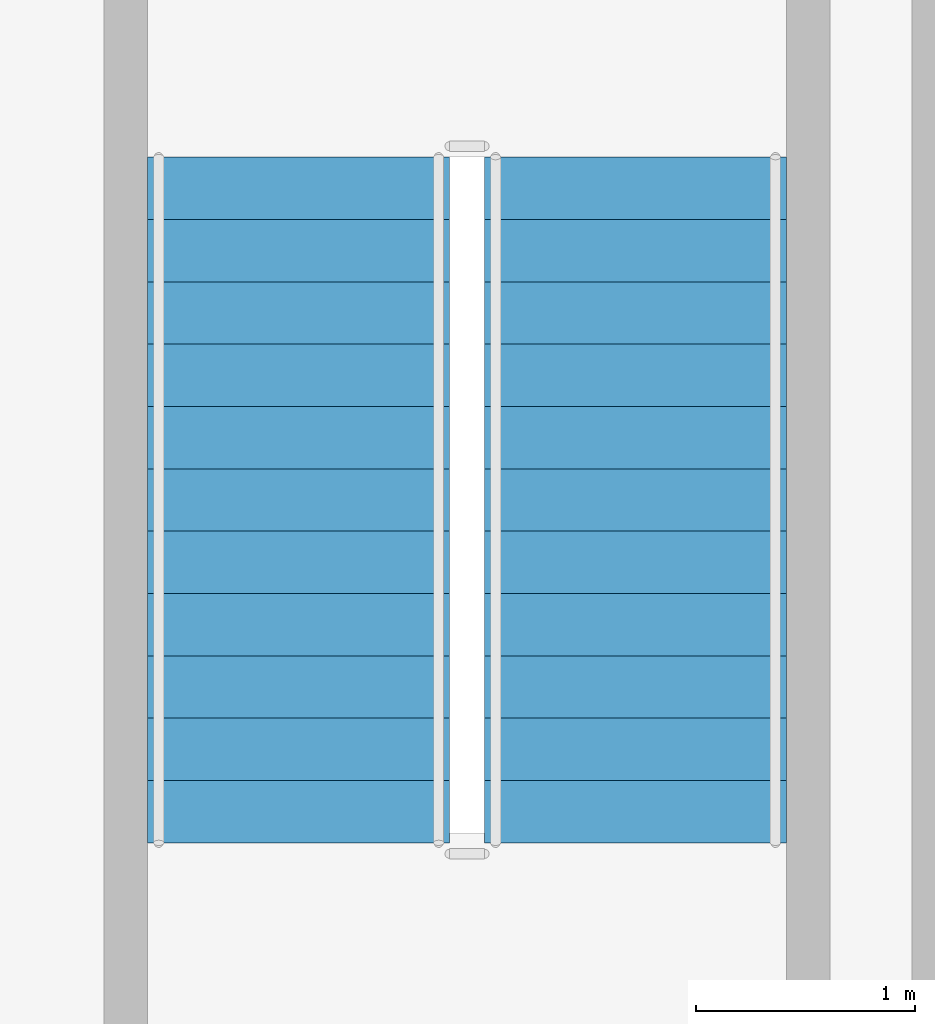
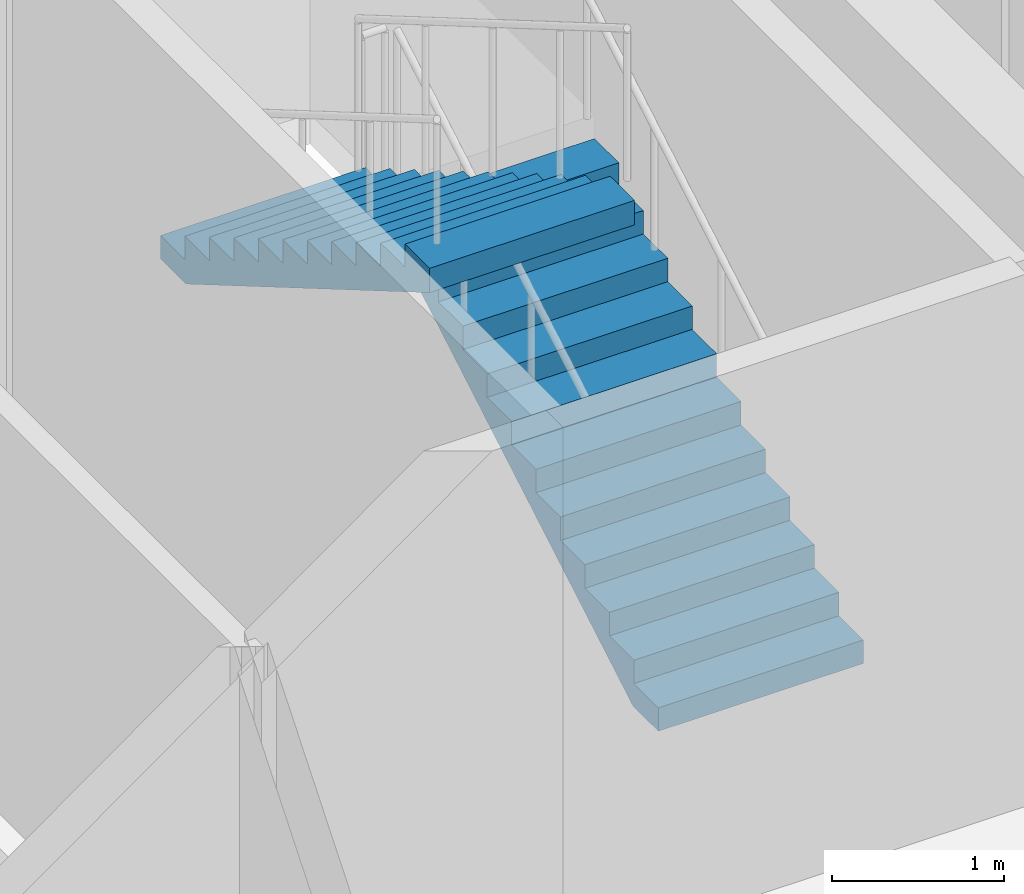
# One storey, part 18 of 23: 2 stair flights, 1 element without a shape of its own.
"""IFC4 building model written with IfcOpenShell, lengths in metres."""

from ifc_helpers import new_model, si_unit, direction, frame, origin, place, context, subcontext, project, spatial, polyline, outline, extrude, material, type_object, element, aggregate, save


model = new_model("IFC4")

# Units and contexts
model_context = context("Model", 3, precision=1e-05, world=origin(), true_north=direction((0.0, 1.0)))
body_context = subcontext(model_context, "Body", "Model", "MODEL_VIEW")
ifc_project = project(units=[si_unit("LENGTHUNIT", "METRE"), si_unit("AREAUNIT", "SQUARE_METRE"), si_unit("VOLUMEUNIT", "CUBIC_METRE"), si_unit("PLANEANGLEUNIT", "RADIAN"), si_unit("MASSUNIT", "GRAM", prefix="KILO")], contexts=[model_context])

# Site, building, storey
site_placement = place(None, origin())
site = spatial("IfcSite", under=ifc_project, at=site_placement, CompositionType="ELEMENT")
building_placement = place(site_placement, origin())
building = spatial("IfcBuilding", under=site, at=building_placement, Name="Kovane Verandah Tower", CompositionType="ELEMENT")
storey_placement = place(building_placement, frame((0.0, 0.0, 243.199951171875)))
storey = spatial("IfcBuildingStorey", under=building, at=storey_placement, Name="L56", CompositionType="ELEMENT", Elevation=243.199951171875)

# Stair, stair flights
ifc_material = material(Name="Concrete C45/55", Category="concrete")
stair_type = type_object("IfcStairType", Name="ST-CORE-1380", PredefinedType="HALF_TURN_STAIR", material=ifc_material)
stair_placement = place(storey_placement, origin())
stair = element("IfcStair", 1, at=stair_placement, inside=storey, type_object=stair_type, Name="L56 Exit Stair ST-02", PredefinedType="HALF_TURN_STAIR")
stair_flight_type = type_object("IfcStairFlightType", Name="STF-CORE-1380", PredefinedType="STRAIGHT", material=ifc_material)
stair_flight_1_placement = place(storey_placement, frame((49.510009765625, 29.25, 0.0), z_axis=(0.0, 0.0, 1.0), x_axis=(0.0, 1.0, 0.0)))
stair_flight_1 = element("IfcStairFlight", 2, at=stair_flight_1_placement, type_object=stair_flight_type, Name="ST-02 flight 1", NumberOfRisers=12, NumberOfTreads=11, PredefinedType="STRAIGHT", RiserHeight=0.166666667, TreadLength=0.285, context=body_context, shape_type="SweptSolid", body=[
    extrude(outline(polyline([(0.0, 0.0), (0.0, 0.166748046875), (0.284912109375, 0.166748046875), (0.284912109375, 0.333251953125), (0.570068359375, 0.333251953125), (0.570068359375, 0.5), (0.85498046875, 0.5), (0.85498046875, 0.666748046875), (1.139892578125, 0.666748046875), (1.139892578125, 0.833251953125), (1.425048828125, 0.833251953125), (1.425048828125, 1.0), (1.7099609375, 1.0), (1.7099609375, 1.166748046875), (1.9951171875, 1.166748046875), (1.9951171875, 1.333251953125), (2.280029296875, 1.333251953125), (2.280029296875, 1.5), (2.56494140625, 1.5), (2.56494140625, 1.666748046875), (2.85009765625, 1.666748046875), (2.85009765625, 1.833251953125), (3.135009765625, 1.833251953125), (3.135009765625, 2.0), (3.135009765625, 1.65966796875), (0.296875, 0.0), (0.0, 0.0)])), frame((0.0, 0.68994140625, 0.0), z_axis=(0.0, -1.0, 0.0), x_axis=(1.0, 0.0, 0.0)), (0.0, 0.0, 1.0), 1.3798828125),
])
stair_flight_2_placement = place(storey_placement, frame((47.969970703125, 32.385009765625, 2.0), z_axis=(0.0, 0.0, 1.0), x_axis=(0.0, -1.0, 0.0)))
stair_flight_2 = element("IfcStairFlight", 3, at=stair_flight_2_placement, type_object=stair_flight_type, Name="ST-02 flight 2", NumberOfRisers=12, NumberOfTreads=11, PredefinedType="STRAIGHT", RiserHeight=0.166666667, TreadLength=0.285, context=body_context, shape_type="SweptSolid", body=[
    extrude(outline(polyline([(0.0, 0.0), (0.0, 0.166748046875), (0.284912109375, 0.166748046875), (0.284912109375, 0.333251953125), (0.570068359375, 0.333251953125), (0.570068359375, 0.5), (0.85498046875, 0.5), (0.85498046875, 0.666748046875), (1.139892578125, 0.666748046875), (1.139892578125, 0.833251953125), (1.425048828125, 0.833251953125), (1.425048828125, 1.0), (1.7099609375, 1.0), (1.7099609375, 1.166748046875), (1.9951171875, 1.166748046875), (1.9951171875, 1.333251953125), (2.280029296875, 1.333251953125), (2.280029296875, 1.5), (2.56494140625, 1.5), (2.56494140625, 1.666748046875), (2.85009765625, 1.666748046875), (2.85009765625, 1.833251953125), (3.135009765625, 1.833251953125), (3.135009765625, 2.0), (3.135009765625, 1.65966796875), (0.296875, 0.0), (0.0, 0.0)])), frame((0.0, 0.68994140625, 0.0), z_axis=(0.0, -1.0, 0.0), x_axis=(1.0, 0.0, 0.0)), (0.0, 0.0, 1.0), 1.3798828125),
])
aggregate(stair, [stair_flight_1, stair_flight_2])

save(model, "model.ifc")
